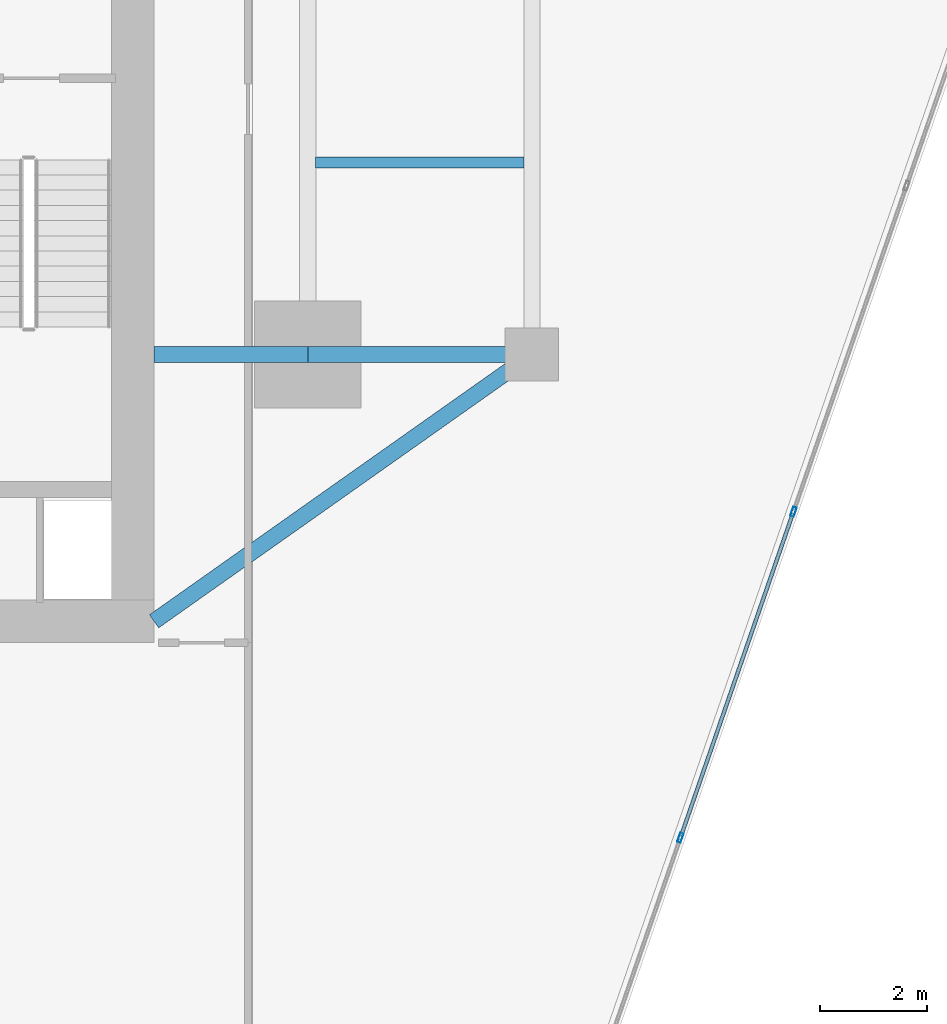
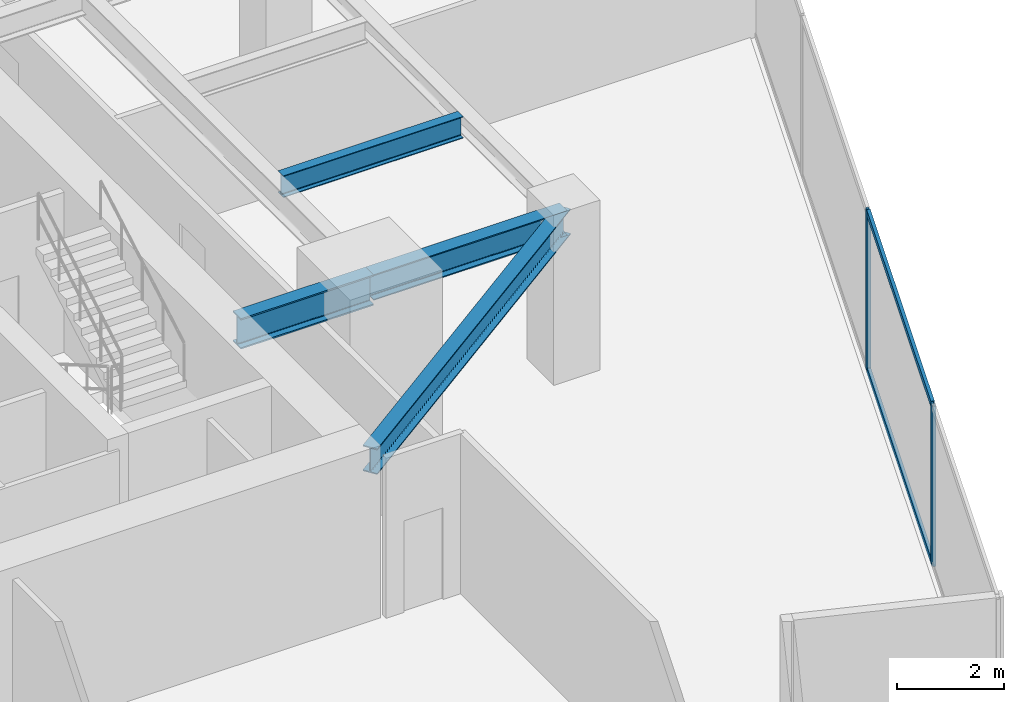
# One storey, part 11 of 28: 4 beams, 4 members, 1 element without a shape of its own.
"""IFC4 building model written with IfcOpenShell, lengths in metres."""

import ifcopenshell
import ifcopenshell.guid

model = None  # the IFC model being written
_history = None  # IfcOwnerHistory: only IFC2X3 demands one
_inside = {}  # id of a spatial element -> (the spatial element, [elements in it])
_under = {}  # id of a project, library or spatial element -> (it, [spatial elements below it])
_declared = {}  # id of a project -> (the project, [libraries it declares])
_typed = {}  # id of a type object -> (the type object, [elements of that type])
_made_of = {}  # id of a material, layer set ... -> (it, [elements and type objects made of it])


def new_model(schema):
    """Start an empty IFC model of exactly this schema.

    Asked for "IFC4X3", IfcOpenShell would pick the latest addendum, in which some entities
    have other attributes; the version numbers below select the first issue.
    IFC2X3 requires an IfcOwnerHistory on every rooted entity: one is made here for all.
    """
    global model, _history
    if schema == "IFC4X3":
        model = ifcopenshell.file(schema_version=(4, 3, 0, 0))
    else:
        model = ifcopenshell.file(schema=schema)
    _inside.clear()
    _under.clear()
    _declared.clear()
    _typed.clear()
    _made_of.clear()
    _history = None
    if model.schema == "IFC2X3":
        org = make("IfcOrganization", Name="unknown")
        user = make(
            "IfcPersonAndOrganization",
            ThePerson=make("IfcPerson", FamilyName="unknown"),
            TheOrganization=org,
        )
        app = make(
            "IfcApplication",
            ApplicationDeveloper=org,
            Version="unknown",
            ApplicationFullName="unknown",
            ApplicationIdentifier="unknown",
        )
        _history = make(
            "IfcOwnerHistory",
            OwningUser=user,
            OwningApplication=app,
            ChangeAction="ADDED",
            CreationDate=0,
        )
    return model


def make(cls, **values):
    """One entity of the class cls with the attributes given. An attribute that is None is left unset."""
    return model.create_entity(
        cls, **{name: value for name, value in values.items() if value is not None}
    )


def rooted(cls, **values):
    """An entity with a GlobalId (a new one), such as an element, a storey or a relation."""
    return make(cls, GlobalId=ifcopenshell.guid.new(), OwnerHistory=_history, **values)


def si_unit(unit_type, name, prefix=None):
    """IfcSIUnit, for example si_unit("LENGTHUNIT", "METRE", prefix="MILLI")."""
    return make("IfcSIUnit", UnitType=unit_type, Prefix=prefix, Name=name)


def assignment(units):
    """IfcUnitAssignment: the units of a project."""
    return None if units is None else make("IfcUnitAssignment", Units=units)


def point(xyz):
    """IfcCartesianPoint."""
    return None if xyz is None else make("IfcCartesianPoint", Coordinates=xyz)


def direction(xyz):
    """IfcDirection."""
    return None if xyz is None else make("IfcDirection", DirectionRatios=xyz)


def frame(location, z_axis=None, x_axis=None):
    """IfcAxis2Placement3D, a coordinate frame: its origin and axes. An axis left out is left unset."""
    return make(
        "IfcAxis2Placement3D",
        Location=point(location),
        Axis=direction(z_axis),
        RefDirection=direction(x_axis),
    )


def frame_2d(location, x_axis=None):
    """IfcAxis2Placement2D, a coordinate frame in the plane: its origin and x axis."""
    return make(
        "IfcAxis2Placement2D", Location=point(location), RefDirection=direction(x_axis)
    )


def origin():
    """The frame at (0, 0, 0) with its axes left unset."""
    return frame((0.0, 0.0, 0.0))


def origin_2d():
    """The frame at (0, 0) in the plane with its x axis left unset."""
    return frame_2d((0.0, 0.0))


def place(relative_to, where):
    """IfcLocalPlacement: puts the frame where relative to a parent placement (None: the world)."""
    return make(
        "IfcLocalPlacement", PlacementRelTo=relative_to, RelativePlacement=where
    )


def context(
    kind, dimensions, precision=None, world=None, true_north=None, identifier=None
):
    """IfcGeometricRepresentationContext, for example the 3D "Model" context."""
    return make(
        "IfcGeometricRepresentationContext",
        ContextIdentifier=identifier,
        ContextType=kind,
        CoordinateSpaceDimension=dimensions,
        Precision=precision,
        WorldCoordinateSystem=world,
        TrueNorth=true_north,
    )


def subcontext(parent, identifier, kind, view, scale=None):
    """IfcGeometricRepresentationSubContext, for example "Body" below "Model"."""
    return make(
        "IfcGeometricRepresentationSubContext",
        ContextIdentifier=identifier,
        ContextType=kind,
        ParentContext=parent,
        TargetScale=scale,
        TargetView=view,
    )


def project(units=None, contexts=None):
    """IfcProject with its units and contexts."""
    return rooted(
        "IfcProject",
        Name="project",
        RepresentationContexts=contexts,
        UnitsInContext=assignment(units),
    )


def spatial(cls, under=None, at=None, **own):
    """A site, building, storey or space (cls), placed at a placement, below another one or the project."""
    s = rooted(cls, ObjectPlacement=at, **own)
    if under is not None:
        _under.setdefault(under.id(), (under, []))[1].append(s)
    return s


def profile(cls, at=None, kind="AREA", **sizes):
    """A parametric profile (cls). Its sizes go by their IFC names, for example OverallWidth=200.0."""
    return make(cls, ProfileType=kind, Position=at, **sizes)


def hollow_rectangle(**sizes):
    """IfcRectangleHollowProfileDef."""
    return profile("IfcRectangleHollowProfileDef", **sizes)


def i_section(**sizes):
    """IfcIShapeProfileDef."""
    return profile("IfcIShapeProfileDef", **sizes)


def extrude(swept, where, along, depth):
    """IfcExtrudedAreaSolid: the profile swept, set in the frame where, extruded along a direction by depth."""
    return make(
        "IfcExtrudedAreaSolid",
        SweptArea=swept,
        Position=where,
        ExtrudedDirection=direction(along),
        Depth=depth,
    )


def shape(context_of_items, identifier, shape_type, items):
    """IfcShapeRepresentation: the items that make up one representation, for example the "Body"."""
    return make(
        "IfcShapeRepresentation",
        ContextOfItems=context_of_items,
        RepresentationIdentifier=identifier,
        RepresentationType=shape_type,
        Items=items,
    )


def source(mapping_origin, context_of_items, identifier, shape_type, items):
    """IfcRepresentationMap: a shape defined once, which mapped items show again and again."""
    return make(
        "IfcRepresentationMap",
        MappingOrigin=mapping_origin,
        MappedRepresentation=shape(context_of_items, identifier, shape_type, items),
    )


def transform(
    local_origin,
    x_axis=None,
    y_axis=None,
    z_axis=None,
    scale=None,
    scale2=None,
    scale3=None,
    uniform=True,
):
    """IfcCartesianTransformationOperator3D, or its non-uniform kind. x_axis, y_axis, z_axis: its Axis1, 2, 3."""
    if uniform:
        return make(
            "IfcCartesianTransformationOperator3D",
            Axis1=direction(x_axis),
            Axis2=direction(y_axis),
            LocalOrigin=point(local_origin),
            Scale=scale,
            Axis3=direction(z_axis),
        )
    return make(
        "IfcCartesianTransformationOperator3DnonUniform",
        Axis1=direction(x_axis),
        Axis2=direction(y_axis),
        LocalOrigin=point(local_origin),
        Scale=scale,
        Axis3=direction(z_axis),
        Scale2=scale2,
        Scale3=scale3,
    )


def mapped(mapping_source, mapping_target):
    """IfcMappedItem: shows the shape of a source again, moved by a transform."""
    return make(
        "IfcMappedItem", MappingSource=mapping_source, MappingTarget=mapping_target
    )


def material(Name=None, Category=None):
    """IfcMaterial."""
    return make("IfcMaterial", Name=Name, Category=Category)


def material_profile(
    of_material, cross_section, Name=None, Category=None, Priority=None
):
    """IfcMaterialProfile: a cross section and its material."""
    return make(
        "IfcMaterialProfile",
        Name=Name,
        Material=of_material,
        Profile=cross_section,
        Priority=Priority,
        Category=Category,
    )


def profile_set(profiles, Name=None, composite=None):
    """IfcMaterialProfileSet."""
    return make(
        "IfcMaterialProfileSet",
        Name=Name,
        MaterialProfiles=profiles,
        CompositeProfile=composite,
    )


def made_of(thing, what):
    """Note that an element or type object is made of a material, layer set ...; save() writes the relation."""
    if what is not None:
        _made_of.setdefault(what.id(), (what, []))[1].append(thing)
    return thing


def type_object(cls, material=None, **own):
    """A type object (cls), such as IfcWallType, which elements share."""
    return made_of(rooted(cls, **own), material)


def type_shapes(of_type, sources):
    """Give a type object the sources (RepresentationMaps) that its elements show as mapped items."""
    of_type.RepresentationMaps = sources


def element(
    cls,
    number,
    at=None,
    inside=None,
    cuts=None,
    type_object=None,
    material=None,
    context=None,
    identifier="Body",
    shape_type=None,
    held_by="IfcProductDefinitionShape",
    body=None,
    shapes=None,
    **own,
):
    """One element of the class cls, such as IfcWall. Its Tag is "e" and its number.

    at: its placement. inside: the storey or other place that contains it. cuts: it is an
    opening in that element (IfcRelVoidsElement). A single representation is given by context,
    identifier, shape_type and body (its items); several are given by shapes. held_by: the class
    of the entity that holds the representations. save() writes the other relations.
    """
    e = rooted(cls, Tag="e%d" % number, ObjectPlacement=at, **own)
    if body is not None:
        shapes = [shape(context, identifier, shape_type, body)]
    if shapes is not None:
        e.Representation = make(held_by, Representations=shapes)
    if inside is not None:
        _inside.setdefault(inside.id(), (inside, []))[1].append(e)
    if cuts is not None:
        rooted(
            "IfcRelVoidsElement", RelatingBuildingElement=cuts, RelatedOpeningElement=e
        )
    if type_object is not None:
        _typed.setdefault(type_object.id(), (type_object, []))[1].append(e)
    return made_of(e, material)


def aggregate(whole, parts):
    """IfcRelAggregates: a whole, such as a stair, and the parts it consists of."""
    return rooted("IfcRelAggregates", RelatingObject=whole, RelatedObjects=parts)


def save(model, path):
    """Write the relations noted so far, then the file.

    IfcRelAggregates (storeys below a building ...), IfcRelContainedInSpatialStructure (elements
    in a storey), IfcRelDefinesByType, IfcRelAssociatesMaterial and IfcRelDeclares: one each for
    every whole, place, type object, material and project.
    """
    for whole, parts in _under.values():
        aggregate(whole, parts)
    for where, things in _inside.values():
        rooted(
            "IfcRelContainedInSpatialStructure",
            RelatedElements=things,
            RelatingStructure=where,
        )
    for kind, things in _typed.values():
        rooted("IfcRelDefinesByType", RelatedObjects=things, RelatingType=kind)
    for what, things in _made_of.values():
        rooted("IfcRelAssociatesMaterial", RelatedObjects=things, RelatingMaterial=what)
    for by, libraries in _declared.values():
        rooted("IfcRelDeclares", RelatingContext=by, RelatedDefinitions=libraries)
    model.write(path)


model = new_model("IFC4")

# Units and contexts
model_context = context("Model", 3, precision=1e-05, world=origin(), true_north=direction((0.0, 1.0)))
body_context = subcontext(model_context, "Body", "Model", "MODEL_VIEW")
ifc_project = project(units=[si_unit("LENGTHUNIT", "METRE"), si_unit("AREAUNIT", "SQUARE_METRE"), si_unit("VOLUMEUNIT", "CUBIC_METRE"), si_unit("PLANEANGLEUNIT", "RADIAN"), si_unit("MASSUNIT", "GRAM", prefix="KILO")], contexts=[model_context])

# Site, building, storey
site_placement = place(None, origin())
site = spatial("IfcSite", under=ifc_project, at=site_placement, CompositionType="ELEMENT")
building_placement = place(site_placement, origin())
building = spatial("IfcBuilding", under=site, at=building_placement, Name="Krantzveldt Concourse Tower", CompositionType="ELEMENT")
storey_placement = place(building_placement, frame((0.0, 0.0, 117.699951171875)))
storey = spatial("IfcBuildingStorey", under=building, at=storey_placement, Name="L28", CompositionType="ELEMENT", Elevation=117.699951171875)

# Beams
ifc_material_1 = material(Name="Steel S355J2", Category="steel")
ifc_material_profile_1 = material_profile(ifc_material_1, i_section(OverallWidth=0.300048828125, OverallDepth=0.699951171875, WebThickness=0.01708984375, FlangeThickness=0.031982421875, FilletRadius=0.027099609375, at=origin_2d()), Name="Steel S355J2", Category="steel")
ifc_profile_set_1 = profile_set([ifc_material_profile_1], Name="Steel S355J2 - HEB 700")
beam_type_1 = type_object("IfcBeamType", Name="BM-B-HEB700", PredefinedType="BEAM", material=ifc_profile_set_1)
shared_shape_1 = source(origin(), body_context, "Body", "SweptSolid", [
    extrude(i_section(OverallWidth=0.300048828125, OverallDepth=0.699951171875, WebThickness=0.01708984375, FlangeThickness=0.031982421875, FilletRadius=0.027099609375, at=origin_2d()), origin(), (0.0, 0.0, 1.0), 2.880126953125),
])
type_shapes(beam_type_1, [shared_shape_1])
beam_1_placement = place(storey_placement, frame((43.919921875, 15.89990234375, 3.320068359375), z_axis=(1.0, 0.0, 0.0), x_axis=(0.0, 1.0, 0.0)))
element("IfcBeam", 1, at=beam_1_placement, inside=storey, type_object=beam_type_1, Name="L28 Tower Girder BG-CE1", PredefinedType="BEAM", context=body_context, shape_type="MappedRepresentation", body=[
    mapped(shared_shape_1, transform((0.0, 0.0, 0.0), x_axis=(1.0, 0.0, 0.0), y_axis=(0.0, 1.0, 0.0), z_axis=(0.0, 0.0, 1.0), scale=1.0)),
])
ifc_material_2 = material(Name="Steel S355JR", Category="steel")
ifc_material_profile_2 = material_profile(ifc_material_2, i_section(OverallWidth=0.300048828125, OverallDepth=0.590087890625, WebThickness=0.012939453125, FlangeThickness=0.02490234375, FilletRadius=0.027099609375, at=origin_2d()), Name="Steel S355JR", Category="steel")
ifc_profile_set_2 = profile_set([ifc_material_profile_2], Name="Steel S355JR - HEA 600")
beam_type_2 = type_object("IfcBeamType", Name="BM-B-HEA600", PredefinedType="BEAM", material=ifc_profile_set_2)
shared_shape_2 = source(origin(), body_context, "Body", "SweptSolid", [
    extrude(i_section(OverallWidth=0.300048828125, OverallDepth=0.590087890625, WebThickness=0.012939453125, FlangeThickness=0.02490234375, FilletRadius=0.027099609375, at=origin_2d()), origin(), (0.0, 0.0, 1.0), 4.199951171875),
])
beam_2_placement = place(storey_placement, frame((46.800048828125, 15.89990234375, 3.375), z_axis=(1.0, 0.0, 0.0), x_axis=(0.0, 1.0, 0.0)))
element("IfcBeam", 2, at=beam_2_placement, inside=storey, type_object=beam_type_2, Name="L28 Tower Girder BR-RR1", PredefinedType="BEAM", context=body_context, shape_type="MappedRepresentation", body=[
    mapped(shared_shape_2, transform((0.0, 0.0, 0.0), x_axis=(1.0, 0.0, 0.0), y_axis=(0.0, 1.0, 0.0), z_axis=(0.0, 0.0, 1.0), scale=1.0)),
])
shared_shape_3 = source(origin(), body_context, "Body", "SweptSolid", [
    extrude(i_section(OverallWidth=0.300048828125, OverallDepth=0.590087890625, WebThickness=0.012939453125, FlangeThickness=0.02490234375, FilletRadius=0.027099609375, at=origin_2d()), origin(), (0.0, 0.0, 1.0), 8.667724609375),
])
type_shapes(beam_type_2, [shared_shape_2, shared_shape_3])
beam_3_placement = place(storey_placement, frame((51.0, 15.89990234375, 3.375), z_axis=(-0.81684294656, -0.576860122261, 0.0), x_axis=(0.576860122261, -0.81684294656, 0.0)))
element("IfcBeam", 3, at=beam_3_placement, inside=storey, type_object=beam_type_2, Name="L28 Tower Girder BR-CSE", PredefinedType="BEAM", context=body_context, shape_type="MappedRepresentation", body=[
    mapped(shared_shape_3, transform((0.0, 0.0, 0.0), x_axis=(1.0, 0.0, 0.0), y_axis=(0.0, 1.0, 0.0), z_axis=(0.0, 0.0, 1.0), scale=1.0)),
])
ifc_material_profile_3 = material_profile(ifc_material_2, i_section(OverallWidth=0.199951171875, OverallDepth=0.5, WebThickness=0.01025390625, FlangeThickness=0.01611328125, FilletRadius=0.02099609375, at=origin_2d()), Name="Steel S355JR", Category="steel")
ifc_profile_set_3 = profile_set([ifc_material_profile_3], Name="Steel S355JR - IPE 500")
beam_type_3 = type_object("IfcBeamType", Name="BM-J-IPE500", PredefinedType="JOIST", material=ifc_profile_set_3)
shared_shape_4 = source(origin(), body_context, "Body", "SweptSolid", [
    extrude(i_section(OverallWidth=0.199951171875, OverallDepth=0.5, WebThickness=0.01025390625, FlangeThickness=0.01611328125, FilletRadius=0.02099609375, at=origin_2d()), origin(), (0.0, 0.0, 1.0), 3.900146484375),
])
type_shapes(beam_type_3, [shared_shape_4])
beam_4_placement = place(storey_placement, frame((46.949951171875, 19.5, 3.420166015625), z_axis=(1.0, 0.0, 0.0), x_axis=(0.0, 1.0, 0.0)))
element("IfcBeam", 4, at=beam_4_placement, inside=storey, type_object=beam_type_3, Name="L28 Secondary Floor Joist JE-1", PredefinedType="JOIST", context=body_context, shape_type="MappedRepresentation", body=[
    mapped(shared_shape_4, transform((0.0, 0.0, 0.0), x_axis=(1.0, 0.0, 0.0), y_axis=(0.0, 1.0, 0.0), z_axis=(0.0, 0.0, 1.0), scale=1.0)),
])

# Curtain wall, members
ifc_material_3 = material(Name="Anodised aluminium 6063-T6", Category="aluminium")
curtain_wall_type = type_object("IfcCurtainWallType", Name="CW2", PredefinedType="USERDEFINED", material=ifc_material_3)
curtain_wall_placement = place(storey_placement, origin())
curtain_wall = element("IfcCurtainWall", 5, at=curtain_wall_placement, inside=storey, type_object=curtain_wall_type, Name="CW-L28-F07", ObjectType="UNITISED CURTAIN WALL", PredefinedType="USERDEFINED")
ifc_material_profile_4 = material_profile(ifc_material_3, hollow_rectangle(XDim=0.070068359375, YDim=0.179931640625, WallThickness=0.0048828125, at=origin_2d()), Name="Anodised aluminium 6063-T6", Category="aluminium")
ifc_profile_set_4 = profile_set([ifc_material_profile_4], Name="Anodised aluminium 6063-T6 - ALU-MULL 180x70x5")
member_type_1 = type_object("IfcMemberType", Name="CW-MUL-180", PredefinedType="MULLION", material=ifc_profile_set_4)
shared_shape_5 = source(origin(), body_context, "Body", "SweptSolid", [
    extrude(hollow_rectangle(XDim=0.070068359375, YDim=0.179931640625, WallThickness=0.0048828125, at=origin_2d()), origin(), (0.0, 0.0, 1.0), 3.670166015625),
])
type_shapes(member_type_1, [shared_shape_5])
member_1_placement = place(storey_placement, frame((53.7861328125, 6.843505859375, 0.0), z_axis=(0.0, 0.0, 1.0), x_axis=(-0.944806041446, 0.32763019404, 0.0)))
member_1 = element("IfcMember", 6, at=member_1_placement, type_object=member_type_1, Name="CW-Z12 mullion 2", PredefinedType="MULLION", context=body_context, shape_type="MappedRepresentation", body=[
    mapped(shared_shape_5, transform((0.0, 0.0, 0.0), x_axis=(1.0, 0.0, 0.0), y_axis=(0.0, 1.0, 0.0), z_axis=(0.0, 0.0, 1.0), scale=1.0)),
])
member_2_placement = place(storey_placement, frame((55.90478515625, 12.953125, 0.0), z_axis=(0.0, 0.0, 1.0), x_axis=(-0.944806041446, 0.32763019404, 0.0)))
member_2 = element("IfcMember", 7, at=member_2_placement, type_object=member_type_1, Name="CW-Z12 mullion 3", PredefinedType="MULLION", context=body_context, shape_type="MappedRepresentation", body=[
    mapped(shared_shape_5, transform((0.0, 0.0, 0.0), x_axis=(1.0, 0.0, 0.0), y_axis=(0.0, 1.0, 0.0), z_axis=(0.0, 0.0, 1.0), scale=1.0)),
])
ifc_material_profile_5 = material_profile(ifc_material_3, hollow_rectangle(XDim=0.070068359375, YDim=0.139892578125, WallThickness=0.0048828125, at=origin_2d()), Name="Anodised aluminium 6063-T6", Category="aluminium")
ifc_profile_set_5 = profile_set([ifc_material_profile_5], Name="Anodised aluminium 6063-T6 - ALU-TRAN 140x70x5")
member_type_2 = type_object("IfcMemberType", Name="CW-TRN-150", PredefinedType="USERDEFINED", material=ifc_profile_set_5)
shared_shape_6 = source(origin(), body_context, "Body", "SweptSolid", [
    extrude(hollow_rectangle(XDim=0.070068359375, YDim=0.139892578125, WallThickness=0.0048828125, at=origin_2d()), origin(), (0.0, 0.0, 1.0), 6.396728515625),
])
type_shapes(member_type_2, [shared_shape_6])
member_3_placement = place(storey_placement, frame((53.797607421875, 6.87646484375, 0.03515625), z_axis=(0.327620443666, 0.944809422525, 0.0), x_axis=(-0.944809422525, 0.327620443666, 0.0)))
member_3 = element("IfcMember", 8, at=member_3_placement, type_object=member_type_2, Name="CW-Z12 transom 2.1", ObjectType="TRANSOM", PredefinedType="USERDEFINED", context=body_context, shape_type="MappedRepresentation", body=[
    mapped(shared_shape_6, transform((0.0, 0.0, 0.0), x_axis=(1.0, 0.0, 0.0), y_axis=(0.0, 1.0, 0.0), z_axis=(0.0, 0.0, 1.0), scale=1.0)),
])
member_4_placement = place(storey_placement, frame((53.797607421875, 6.87646484375, 3.635009765625), z_axis=(0.327620443666, 0.944809422525, 0.0), x_axis=(-0.944809422525, 0.327620443666, 0.0)))
member_4 = element("IfcMember", 9, at=member_4_placement, type_object=member_type_2, Name="CW-Z12 transom 2.2", ObjectType="TRANSOM", PredefinedType="USERDEFINED", context=body_context, shape_type="MappedRepresentation", body=[
    mapped(shared_shape_6, transform((0.0, 0.0, 0.0), x_axis=(1.0, 0.0, 0.0), y_axis=(0.0, 1.0, 0.0), z_axis=(0.0, 0.0, 1.0), scale=1.0)),
])
aggregate(curtain_wall, [member_1, member_2, member_3, member_4])

save(model, "model.ifc")
